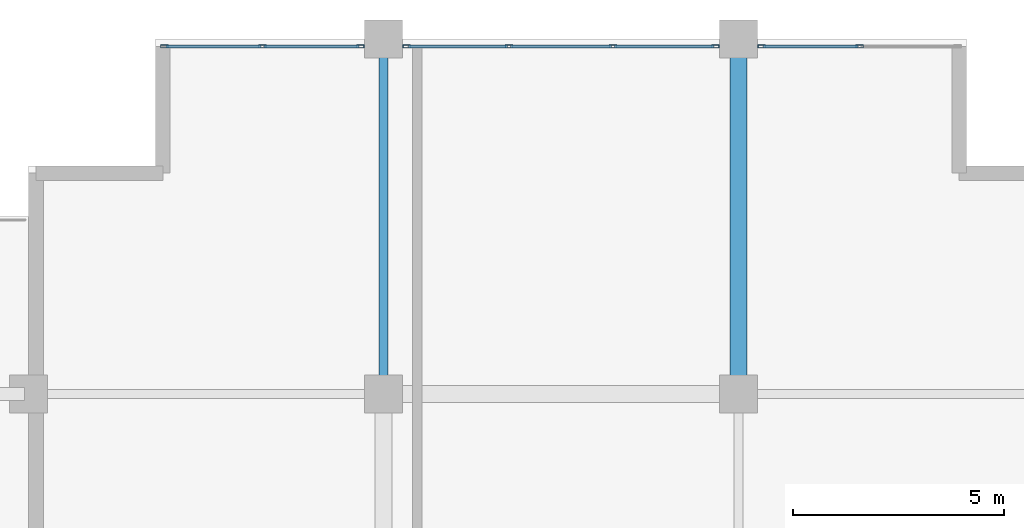
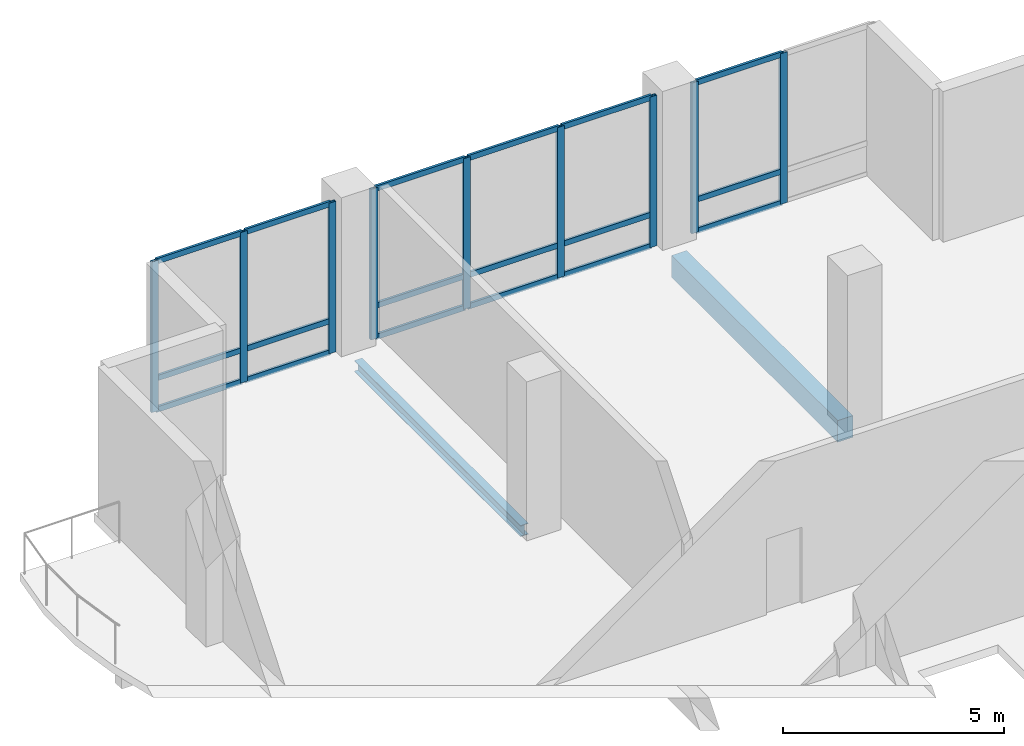
# One storey, part 3 of 16: 27 members, 2 beams, 3 elements without a shape of their own.
"""IFC4 building model written with IfcOpenShell, lengths in metres."""

import ifcopenshell
import ifcopenshell.guid

model = None  # the IFC model being written
_history = None  # IfcOwnerHistory: only IFC2X3 demands one
_inside = {}  # id of a spatial element -> (the spatial element, [elements in it])
_under = {}  # id of a project, library or spatial element -> (it, [spatial elements below it])
_declared = {}  # id of a project -> (the project, [libraries it declares])
_typed = {}  # id of a type object -> (the type object, [elements of that type])
_made_of = {}  # id of a material, layer set ... -> (it, [elements and type objects made of it])


def new_model(schema):
    """Start an empty IFC model of exactly this schema.

    Asked for "IFC4X3", IfcOpenShell would pick the latest addendum, in which some entities
    have other attributes; the version numbers below select the first issue.
    IFC2X3 requires an IfcOwnerHistory on every rooted entity: one is made here for all.
    """
    global model, _history
    if schema == "IFC4X3":
        model = ifcopenshell.file(schema_version=(4, 3, 0, 0))
    else:
        model = ifcopenshell.file(schema=schema)
    _inside.clear()
    _under.clear()
    _declared.clear()
    _typed.clear()
    _made_of.clear()
    _history = None
    if model.schema == "IFC2X3":
        org = make("IfcOrganization", Name="unknown")
        user = make(
            "IfcPersonAndOrganization",
            ThePerson=make("IfcPerson", FamilyName="unknown"),
            TheOrganization=org,
        )
        app = make(
            "IfcApplication",
            ApplicationDeveloper=org,
            Version="unknown",
            ApplicationFullName="unknown",
            ApplicationIdentifier="unknown",
        )
        _history = make(
            "IfcOwnerHistory",
            OwningUser=user,
            OwningApplication=app,
            ChangeAction="ADDED",
            CreationDate=0,
        )
    return model


def make(cls, **values):
    """One entity of the class cls with the attributes given. An attribute that is None is left unset."""
    return model.create_entity(
        cls, **{name: value for name, value in values.items() if value is not None}
    )


def rooted(cls, **values):
    """An entity with a GlobalId (a new one), such as an element, a storey or a relation."""
    return make(cls, GlobalId=ifcopenshell.guid.new(), OwnerHistory=_history, **values)


def si_unit(unit_type, name, prefix=None):
    """IfcSIUnit, for example si_unit("LENGTHUNIT", "METRE", prefix="MILLI")."""
    return make("IfcSIUnit", UnitType=unit_type, Prefix=prefix, Name=name)


def assignment(units):
    """IfcUnitAssignment: the units of a project."""
    return None if units is None else make("IfcUnitAssignment", Units=units)


def point(xyz):
    """IfcCartesianPoint."""
    return None if xyz is None else make("IfcCartesianPoint", Coordinates=xyz)


def direction(xyz):
    """IfcDirection."""
    return None if xyz is None else make("IfcDirection", DirectionRatios=xyz)


def frame(location, z_axis=None, x_axis=None):
    """IfcAxis2Placement3D, a coordinate frame: its origin and axes. An axis left out is left unset."""
    return make(
        "IfcAxis2Placement3D",
        Location=point(location),
        Axis=direction(z_axis),
        RefDirection=direction(x_axis),
    )


def frame_2d(location, x_axis=None):
    """IfcAxis2Placement2D, a coordinate frame in the plane: its origin and x axis."""
    return make(
        "IfcAxis2Placement2D", Location=point(location), RefDirection=direction(x_axis)
    )


def origin():
    """The frame at (0, 0, 0) with its axes left unset."""
    return frame((0.0, 0.0, 0.0))


def origin_2d():
    """The frame at (0, 0) in the plane with its x axis left unset."""
    return frame_2d((0.0, 0.0))


def place(relative_to, where):
    """IfcLocalPlacement: puts the frame where relative to a parent placement (None: the world)."""
    return make(
        "IfcLocalPlacement", PlacementRelTo=relative_to, RelativePlacement=where
    )


def context(
    kind, dimensions, precision=None, world=None, true_north=None, identifier=None
):
    """IfcGeometricRepresentationContext, for example the 3D "Model" context."""
    return make(
        "IfcGeometricRepresentationContext",
        ContextIdentifier=identifier,
        ContextType=kind,
        CoordinateSpaceDimension=dimensions,
        Precision=precision,
        WorldCoordinateSystem=world,
        TrueNorth=true_north,
    )


def subcontext(parent, identifier, kind, view, scale=None):
    """IfcGeometricRepresentationSubContext, for example "Body" below "Model"."""
    return make(
        "IfcGeometricRepresentationSubContext",
        ContextIdentifier=identifier,
        ContextType=kind,
        ParentContext=parent,
        TargetScale=scale,
        TargetView=view,
    )


def project(units=None, contexts=None):
    """IfcProject with its units and contexts."""
    return rooted(
        "IfcProject",
        Name="project",
        RepresentationContexts=contexts,
        UnitsInContext=assignment(units),
    )


def spatial(cls, under=None, at=None, **own):
    """A site, building, storey or space (cls), placed at a placement, below another one or the project."""
    s = rooted(cls, ObjectPlacement=at, **own)
    if under is not None:
        _under.setdefault(under.id(), (under, []))[1].append(s)
    return s


def profile(cls, at=None, kind="AREA", **sizes):
    """A parametric profile (cls). Its sizes go by their IFC names, for example OverallWidth=200.0."""
    return make(cls, ProfileType=kind, Position=at, **sizes)


def rectangle(**sizes):
    """IfcRectangleProfileDef."""
    return profile("IfcRectangleProfileDef", **sizes)


def hollow_rectangle(**sizes):
    """IfcRectangleHollowProfileDef."""
    return profile("IfcRectangleHollowProfileDef", **sizes)


def i_section(**sizes):
    """IfcIShapeProfileDef."""
    return profile("IfcIShapeProfileDef", **sizes)


def extrude(swept, where, along, depth):
    """IfcExtrudedAreaSolid: the profile swept, set in the frame where, extruded along a direction by depth."""
    return make(
        "IfcExtrudedAreaSolid",
        SweptArea=swept,
        Position=where,
        ExtrudedDirection=direction(along),
        Depth=depth,
    )


def shape(context_of_items, identifier, shape_type, items):
    """IfcShapeRepresentation: the items that make up one representation, for example the "Body"."""
    return make(
        "IfcShapeRepresentation",
        ContextOfItems=context_of_items,
        RepresentationIdentifier=identifier,
        RepresentationType=shape_type,
        Items=items,
    )


def material(Name=None, Category=None):
    """IfcMaterial."""
    return make("IfcMaterial", Name=Name, Category=Category)


def layer(
    of_material, thickness, ventilated=None, Name=None, Category=None, Priority=None
):
    """IfcMaterialLayer: one layer of a wall or slab, of a material (None: an air gap)."""
    return make(
        "IfcMaterialLayer",
        Material=of_material,
        LayerThickness=thickness,
        IsVentilated=ventilated,
        Name=Name,
        Category=Category,
        Priority=Priority,
    )


def layer_set(layers, Name=None):
    """IfcMaterialLayerSet."""
    return make("IfcMaterialLayerSet", MaterialLayers=layers, LayerSetName=Name)


def material_profile(
    of_material, cross_section, Name=None, Category=None, Priority=None
):
    """IfcMaterialProfile: a cross section and its material."""
    return make(
        "IfcMaterialProfile",
        Name=Name,
        Material=of_material,
        Profile=cross_section,
        Priority=Priority,
        Category=Category,
    )


def profile_set(profiles, Name=None, composite=None):
    """IfcMaterialProfileSet."""
    return make(
        "IfcMaterialProfileSet",
        Name=Name,
        MaterialProfiles=profiles,
        CompositeProfile=composite,
    )


def made_of(thing, what):
    """Note that an element or type object is made of a material, layer set ...; save() writes the relation."""
    if what is not None:
        _made_of.setdefault(what.id(), (what, []))[1].append(thing)
    return thing


def type_object(cls, material=None, **own):
    """A type object (cls), such as IfcWallType, which elements share."""
    return made_of(rooted(cls, **own), material)


def element(
    cls,
    number,
    at=None,
    inside=None,
    cuts=None,
    type_object=None,
    material=None,
    context=None,
    identifier="Body",
    shape_type=None,
    held_by="IfcProductDefinitionShape",
    body=None,
    shapes=None,
    **own,
):
    """One element of the class cls, such as IfcWall. Its Tag is "e" and its number.

    at: its placement. inside: the storey or other place that contains it. cuts: it is an
    opening in that element (IfcRelVoidsElement). A single representation is given by context,
    identifier, shape_type and body (its items); several are given by shapes. held_by: the class
    of the entity that holds the representations. save() writes the other relations.
    """
    e = rooted(cls, Tag="e%d" % number, ObjectPlacement=at, **own)
    if body is not None:
        shapes = [shape(context, identifier, shape_type, body)]
    if shapes is not None:
        e.Representation = make(held_by, Representations=shapes)
    if inside is not None:
        _inside.setdefault(inside.id(), (inside, []))[1].append(e)
    if cuts is not None:
        rooted(
            "IfcRelVoidsElement", RelatingBuildingElement=cuts, RelatedOpeningElement=e
        )
    if type_object is not None:
        _typed.setdefault(type_object.id(), (type_object, []))[1].append(e)
    return made_of(e, material)


def aggregate(whole, parts):
    """IfcRelAggregates: a whole, such as a stair, and the parts it consists of."""
    return rooted("IfcRelAggregates", RelatingObject=whole, RelatedObjects=parts)


def save(model, path):
    """Write the relations noted so far, then the file.

    IfcRelAggregates (storeys below a building ...), IfcRelContainedInSpatialStructure (elements
    in a storey), IfcRelDefinesByType, IfcRelAssociatesMaterial and IfcRelDeclares: one each for
    every whole, place, type object, material and project.
    """
    for whole, parts in _under.values():
        aggregate(whole, parts)
    for where, things in _inside.values():
        rooted(
            "IfcRelContainedInSpatialStructure",
            RelatedElements=things,
            RelatingStructure=where,
        )
    for kind, things in _typed.values():
        rooted("IfcRelDefinesByType", RelatedObjects=things, RelatingType=kind)
    for what, things in _made_of.values():
        rooted("IfcRelAssociatesMaterial", RelatedObjects=things, RelatingMaterial=what)
    for by, libraries in _declared.values():
        rooted("IfcRelDeclares", RelatingContext=by, RelatedDefinitions=libraries)
    model.write(path)


model = new_model("IFC4")

# Units and contexts
model_context = context("Model", 3, precision=1e-05, world=origin(), true_north=direction((0.0, 1.0)))
body_context = subcontext(model_context, "Body", "Model", "MODEL_VIEW")
ifc_project = project(units=[si_unit("LENGTHUNIT", "METRE"), si_unit("AREAUNIT", "SQUARE_METRE"), si_unit("VOLUMEUNIT", "CUBIC_METRE"), si_unit("PLANEANGLEUNIT", "RADIAN"), si_unit("MASSUNIT", "GRAM", prefix="KILO")], contexts=[model_context])

# Site, building, storey
site_placement = place(None, origin())
site = spatial("IfcSite", under=ifc_project, at=site_placement, CompositionType="ELEMENT")
building_placement = place(site_placement, origin())
building = spatial("IfcBuilding", under=site, at=building_placement, Name="Koriwani Terraces Tower", CompositionType="ELEMENT")
storey_placement = place(building_placement, frame((0.0, 0.0, 286.0)))
storey = spatial("IfcBuildingStorey", under=building, at=storey_placement, Name="L71", CompositionType="ELEMENT", Elevation=286.0)

# Beam
ifc_material_1 = material(Name="Concrete C40/50", Category="concrete")
ifc_material_profile_1 = material_profile(ifc_material_1, rectangle(XDim=0.39990234375, YDim=0.60009765625, at=origin_2d()), Name="Concrete C40/50", Category="LoadBearing")
ifc_profile_set_1 = profile_set([ifc_material_profile_1], Name="Concrete C40/50")
beam_type_1 = type_object("IfcBeamType", Name="BEAM_RC_GRID_400X600", PredefinedType="BEAM", material=ifc_profile_set_1)
beam_1_placement = place(storey_placement, frame((25.199951171875, 67.6298828125, -0.530029296875), z_axis=(0.0, 1.0, 0.0), x_axis=(-1.0, 0.0, 0.0)))
element("IfcBeam", 1, at=beam_1_placement, inside=storey, type_object=beam_type_1, Name="L71 Grid Beam 4 (67.2-75.6m)", PredefinedType="BEAM", context=body_context, shape_type="SweptSolid", body=[
    extrude(rectangle(XDim=0.39990234375, YDim=0.60009765625, at=origin_2d()), origin(), (0.0, 0.0, 1.0), 7.5400390625),
])

# Curtain wall, members
ifc_material_2 = material(Name="Anodised Bronze Aluminium", Category="aluminium")
ifc_layer = layer(ifc_material_2, 0.18994140625, Name="Anodised Bronze Aluminium")
ifc_layer_set = layer_set([ifc_layer], Name="Anodised Bronze Aluminium")
curtain_wall_type = type_object("IfcCurtainWallType", Name="CW_PENTHOUSE_ZONE5", PredefinedType="NOTDEFINED", material=ifc_layer_set)
curtain_wall_1_placement = place(storey_placement, origin())
curtain_wall_1 = element("IfcCurtainWall", 2, at=curtain_wall_1_placement, inside=storey, type_object=curtain_wall_type, Name="L71 Unitised Curtain Wall (N_TIP) Bay 1", PredefinedType="NOTDEFINED")
ifc_material_profile_2 = material_profile(ifc_material_2, hollow_rectangle(XDim=0.074951171875, YDim=0.179931640625, WallThickness=0.006103515625, at=origin_2d()), Name="Anodised Bronze Aluminium", Category="LoadBearing")
ifc_profile_set_2 = profile_set([ifc_material_profile_2], Name="Anodised Bronze Aluminium")
member_type_1 = type_object("IfcMemberType", Name="CW_MULLION_180X75", PredefinedType="MULLION", material=ifc_profile_set_2)
member_1_placement = place(storey_placement, frame((11.612548828125, 75.425048828125, 0.0), z_axis=(0.0, 0.0, 1.0), x_axis=(0.0, 1.0, 0.0)))
member_1 = element("IfcMember", 3, at=member_1_placement, type_object=member_type_1, Name="CW-Z5 mullion 1", PredefinedType="MULLION", context=body_context, shape_type="SweptSolid", body=[
    extrude(hollow_rectangle(XDim=0.074951171875, YDim=0.179931640625, WallThickness=0.006103515625, at=origin_2d()), origin(), (0.0, 0.0, 1.0), 4.169921875),
])
member_2_placement = place(storey_placement, frame((13.9326171875, 75.425048828125, 0.0), z_axis=(0.0, 0.0, 1.0), x_axis=(0.0, 1.0, 0.0)))
member_2 = element("IfcMember", 4, at=member_2_placement, type_object=member_type_1, Name="CW-Z5 mullion 2", PredefinedType="MULLION", context=body_context, shape_type="SweptSolid", body=[
    extrude(hollow_rectangle(XDim=0.074951171875, YDim=0.179931640625, WallThickness=0.006103515625, at=origin_2d()), origin(), (0.0, 0.0, 1.0), 4.169921875),
])
member_3_placement = place(storey_placement, frame((16.25244140625, 75.425048828125, 0.0), z_axis=(0.0, 0.0, 1.0), x_axis=(0.0, 1.0, 0.0)))
member_3 = element("IfcMember", 5, at=member_3_placement, type_object=member_type_1, Name="CW-Z5 mullion 3", PredefinedType="MULLION", context=body_context, shape_type="SweptSolid", body=[
    extrude(hollow_rectangle(XDim=0.074951171875, YDim=0.179931640625, WallThickness=0.006103515625, at=origin_2d()), origin(), (0.0, 0.0, 1.0), 4.169921875),
])

curtain_wall_2_placement = place(storey_placement, origin())
curtain_wall_2 = element("IfcCurtainWall", 6, at=curtain_wall_2_placement, inside=storey, type_object=curtain_wall_type, Name="L71 Unitised Curtain Wall (N_TIP) Bay 2", PredefinedType="NOTDEFINED")
member_4_placement = place(storey_placement, frame((17.347412109375, 75.425048828125, 0.0), z_axis=(0.0, 0.0, 1.0), x_axis=(0.0, 1.0, 0.0)))
member_4 = element("IfcMember", 7, at=member_4_placement, type_object=member_type_1, Name="CW-Z5 mullion 1", PredefinedType="MULLION", context=body_context, shape_type="SweptSolid", body=[
    extrude(hollow_rectangle(XDim=0.074951171875, YDim=0.179931640625, WallThickness=0.006103515625, at=origin_2d()), origin(), (0.0, 0.0, 1.0), 4.169921875),
])
member_5_placement = place(storey_placement, frame((19.77001953125, 75.425048828125, 0.0), z_axis=(0.0, 0.0, 1.0), x_axis=(0.0, 1.0, 0.0)))
member_5 = element("IfcMember", 8, at=member_5_placement, type_object=member_type_1, Name="CW-Z5 mullion 2", PredefinedType="MULLION", context=body_context, shape_type="SweptSolid", body=[
    extrude(hollow_rectangle(XDim=0.074951171875, YDim=0.179931640625, WallThickness=0.006103515625, at=origin_2d()), origin(), (0.0, 0.0, 1.0), 4.169921875),
])
member_6_placement = place(storey_placement, frame((22.22998046875, 75.425048828125, 0.0), z_axis=(0.0, 0.0, 1.0), x_axis=(0.0, 1.0, 0.0)))
member_6 = element("IfcMember", 9, at=member_6_placement, type_object=member_type_1, Name="CW-Z5 mullion 3", PredefinedType="MULLION", context=body_context, shape_type="SweptSolid", body=[
    extrude(hollow_rectangle(XDim=0.074951171875, YDim=0.179931640625, WallThickness=0.006103515625, at=origin_2d()), origin(), (0.0, 0.0, 1.0), 4.169921875),
])
member_7_placement = place(storey_placement, frame((24.652587890625, 75.425048828125, 0.0), z_axis=(0.0, 0.0, 1.0), x_axis=(0.0, 1.0, 0.0)))
member_7 = element("IfcMember", 10, at=member_7_placement, type_object=member_type_1, Name="CW-Z5 mullion 4", PredefinedType="MULLION", context=body_context, shape_type="SweptSolid", body=[
    extrude(hollow_rectangle(XDim=0.074951171875, YDim=0.179931640625, WallThickness=0.006103515625, at=origin_2d()), origin(), (0.0, 0.0, 1.0), 4.169921875),
])

curtain_wall_3_placement = place(storey_placement, origin())
curtain_wall_3 = element("IfcCurtainWall", 11, at=curtain_wall_3_placement, inside=storey, type_object=curtain_wall_type, Name="L71 Unitised Curtain Wall (N_TIP) Bay 3", PredefinedType="NOTDEFINED")
member_8_placement = place(storey_placement, frame((25.74755859375, 75.425048828125, 0.0), z_axis=(0.0, 0.0, 1.0), x_axis=(0.0, 1.0, 0.0)))
member_8 = element("IfcMember", 12, at=member_8_placement, type_object=member_type_1, Name="CW-Z5 mullion 1", PredefinedType="MULLION", context=body_context, shape_type="SweptSolid", body=[
    extrude(hollow_rectangle(XDim=0.074951171875, YDim=0.179931640625, WallThickness=0.006103515625, at=origin_2d()), origin(), (0.0, 0.0, 1.0), 4.169921875),
])
member_9_placement = place(storey_placement, frame((28.0673828125, 75.425048828125, 0.0), z_axis=(0.0, 0.0, 1.0), x_axis=(0.0, 1.0, 0.0)))
member_9 = element("IfcMember", 13, at=member_9_placement, type_object=member_type_1, Name="CW-Z5 mullion 2", PredefinedType="MULLION", context=body_context, shape_type="SweptSolid", body=[
    extrude(hollow_rectangle(XDim=0.074951171875, YDim=0.179931640625, WallThickness=0.006103515625, at=origin_2d()), origin(), (0.0, 0.0, 1.0), 4.169921875),
])

# Member
ifc_material_profile_3 = material_profile(ifc_material_2, hollow_rectangle(XDim=0.06494140625, YDim=0.14990234375, WallThickness=0.0048828125, at=origin_2d()), Name="Anodised Bronze Aluminium", Category="LoadBearing")
ifc_profile_set_3 = profile_set([ifc_material_profile_3], Name="Anodised Bronze Aluminium")
member_type_2 = type_object("IfcMemberType", Name="CW_TRANSOM_150X65", PredefinedType="USERDEFINED", material=ifc_profile_set_3)
member_10_placement = place(storey_placement, frame((11.64990234375, 75.425048828125, 0.032470703125), z_axis=(1.0, 0.0, 0.0), x_axis=(0.0, 1.0, 0.0)))
member_10 = element("IfcMember", 14, at=member_10_placement, type_object=member_type_2, Name="CW-Z5 transom 1.1", ObjectType="TRANSOM", PredefinedType="USERDEFINED", context=body_context, shape_type="SweptSolid", body=[
    extrude(hollow_rectangle(XDim=0.06494140625, YDim=0.14990234375, WallThickness=0.0048828125, at=origin_2d()), origin(), (0.0, 0.0, 1.0), 2.2451171875),
])

member_11_placement = place(storey_placement, frame((11.64990234375, 75.425048828125, 0.89990234375), z_axis=(1.0, 0.0, 0.0), x_axis=(0.0, 1.0, 0.0)))
member_11 = element("IfcMember", 15, at=member_11_placement, type_object=member_type_2, Name="CW-Z5 transom 1.2", ObjectType="TRANSOM", PredefinedType="USERDEFINED", context=body_context, shape_type="SweptSolid", body=[
    extrude(hollow_rectangle(XDim=0.06494140625, YDim=0.14990234375, WallThickness=0.0048828125, at=origin_2d()), origin(), (0.0, 0.0, 1.0), 2.2451171875),
])

member_12_placement = place(storey_placement, frame((11.64990234375, 75.425048828125, 4.137451171875), z_axis=(1.0, 0.0, 0.0), x_axis=(0.0, 1.0, 0.0)))
member_12 = element("IfcMember", 16, at=member_12_placement, type_object=member_type_2, Name="CW-Z5 transom 1.3", ObjectType="TRANSOM", PredefinedType="USERDEFINED", context=body_context, shape_type="SweptSolid", body=[
    extrude(hollow_rectangle(XDim=0.06494140625, YDim=0.14990234375, WallThickness=0.0048828125, at=origin_2d()), origin(), (0.0, 0.0, 1.0), 2.2451171875),
])

member_13_placement = place(storey_placement, frame((13.969970703125, 75.425048828125, 0.032470703125), z_axis=(1.0, 0.0, 0.0), x_axis=(0.0, 1.0, 0.0)))
member_13 = element("IfcMember", 17, at=member_13_placement, type_object=member_type_2, Name="CW-Z5 transom 2.1", ObjectType="TRANSOM", PredefinedType="USERDEFINED", context=body_context, shape_type="SweptSolid", body=[
    extrude(hollow_rectangle(XDim=0.06494140625, YDim=0.14990234375, WallThickness=0.0048828125, at=origin_2d()), origin(), (0.0, 0.0, 1.0), 2.2451171875),
])

member_14_placement = place(storey_placement, frame((13.969970703125, 75.425048828125, 0.89990234375), z_axis=(1.0, 0.0, 0.0), x_axis=(0.0, 1.0, 0.0)))
member_14 = element("IfcMember", 18, at=member_14_placement, type_object=member_type_2, Name="CW-Z5 transom 2.2", ObjectType="TRANSOM", PredefinedType="USERDEFINED", context=body_context, shape_type="SweptSolid", body=[
    extrude(hollow_rectangle(XDim=0.06494140625, YDim=0.14990234375, WallThickness=0.0048828125, at=origin_2d()), origin(), (0.0, 0.0, 1.0), 2.2451171875),
])

member_15_placement = place(storey_placement, frame((13.969970703125, 75.425048828125, 4.137451171875), z_axis=(1.0, 0.0, 0.0), x_axis=(0.0, 1.0, 0.0)))
member_15 = element("IfcMember", 19, at=member_15_placement, type_object=member_type_2, Name="CW-Z5 transom 2.3", ObjectType="TRANSOM", PredefinedType="USERDEFINED", context=body_context, shape_type="SweptSolid", body=[
    extrude(hollow_rectangle(XDim=0.06494140625, YDim=0.14990234375, WallThickness=0.0048828125, at=origin_2d()), origin(), (0.0, 0.0, 1.0), 2.2451171875),
])

aggregate(curtain_wall_1, [member_1, member_2, member_3, member_10, member_11, member_12, member_13, member_14, member_15])

member_16_placement = place(storey_placement, frame((17.385009765625, 75.425048828125, 0.032470703125), z_axis=(1.0, 0.0, 0.0), x_axis=(0.0, 1.0, 0.0)))
member_16 = element("IfcMember", 20, at=member_16_placement, type_object=member_type_2, Name="CW-Z5 transom 1.1", ObjectType="TRANSOM", PredefinedType="USERDEFINED", context=body_context, shape_type="SweptSolid", body=[
    extrude(hollow_rectangle(XDim=0.06494140625, YDim=0.14990234375, WallThickness=0.0048828125, at=origin_2d()), origin(), (0.0, 0.0, 1.0), 2.347412109375),
])

member_17_placement = place(storey_placement, frame((17.385009765625, 75.425048828125, 0.89990234375), z_axis=(1.0, 0.0, 0.0), x_axis=(0.0, 1.0, 0.0)))
member_17 = element("IfcMember", 21, at=member_17_placement, type_object=member_type_2, Name="CW-Z5 transom 1.2", ObjectType="TRANSOM", PredefinedType="USERDEFINED", context=body_context, shape_type="SweptSolid", body=[
    extrude(hollow_rectangle(XDim=0.06494140625, YDim=0.14990234375, WallThickness=0.0048828125, at=origin_2d()), origin(), (0.0, 0.0, 1.0), 2.347412109375),
])

member_18_placement = place(storey_placement, frame((17.385009765625, 75.425048828125, 4.137451171875), z_axis=(1.0, 0.0, 0.0), x_axis=(0.0, 1.0, 0.0)))
member_18 = element("IfcMember", 22, at=member_18_placement, type_object=member_type_2, Name="CW-Z5 transom 1.3", ObjectType="TRANSOM", PredefinedType="USERDEFINED", context=body_context, shape_type="SweptSolid", body=[
    extrude(hollow_rectangle(XDim=0.06494140625, YDim=0.14990234375, WallThickness=0.0048828125, at=origin_2d()), origin(), (0.0, 0.0, 1.0), 2.347412109375),
])

member_19_placement = place(storey_placement, frame((19.8076171875, 75.425048828125, 0.032470703125), z_axis=(1.0, 0.0, 0.0), x_axis=(0.0, 1.0, 0.0)))
member_19 = element("IfcMember", 23, at=member_19_placement, type_object=member_type_2, Name="CW-Z5 transom 2.1", ObjectType="TRANSOM", PredefinedType="USERDEFINED", context=body_context, shape_type="SweptSolid", body=[
    extrude(hollow_rectangle(XDim=0.06494140625, YDim=0.14990234375, WallThickness=0.0048828125, at=origin_2d()), origin(), (0.0, 0.0, 1.0), 2.384765625),
])

member_20_placement = place(storey_placement, frame((19.8076171875, 75.425048828125, 0.89990234375), z_axis=(1.0, 0.0, 0.0), x_axis=(0.0, 1.0, 0.0)))
member_20 = element("IfcMember", 24, at=member_20_placement, type_object=member_type_2, Name="CW-Z5 transom 2.2", ObjectType="TRANSOM", PredefinedType="USERDEFINED", context=body_context, shape_type="SweptSolid", body=[
    extrude(hollow_rectangle(XDim=0.06494140625, YDim=0.14990234375, WallThickness=0.0048828125, at=origin_2d()), origin(), (0.0, 0.0, 1.0), 2.384765625),
])

member_21_placement = place(storey_placement, frame((19.8076171875, 75.425048828125, 4.137451171875), z_axis=(1.0, 0.0, 0.0), x_axis=(0.0, 1.0, 0.0)))
member_21 = element("IfcMember", 25, at=member_21_placement, type_object=member_type_2, Name="CW-Z5 transom 2.3", ObjectType="TRANSOM", PredefinedType="USERDEFINED", context=body_context, shape_type="SweptSolid", body=[
    extrude(hollow_rectangle(XDim=0.06494140625, YDim=0.14990234375, WallThickness=0.0048828125, at=origin_2d()), origin(), (0.0, 0.0, 1.0), 2.384765625),
])

member_22_placement = place(storey_placement, frame((22.267578125, 75.425048828125, 0.032470703125), z_axis=(1.0, 0.0, 0.0), x_axis=(0.0, 1.0, 0.0)))
member_22 = element("IfcMember", 26, at=member_22_placement, type_object=member_type_2, Name="CW-Z5 transom 3.1", ObjectType="TRANSOM", PredefinedType="USERDEFINED", context=body_context, shape_type="SweptSolid", body=[
    extrude(hollow_rectangle(XDim=0.06494140625, YDim=0.14990234375, WallThickness=0.0048828125, at=origin_2d()), origin(), (0.0, 0.0, 1.0), 2.347412109375),
])

member_23_placement = place(storey_placement, frame((22.267578125, 75.425048828125, 0.89990234375), z_axis=(1.0, 0.0, 0.0), x_axis=(0.0, 1.0, 0.0)))
member_23 = element("IfcMember", 27, at=member_23_placement, type_object=member_type_2, Name="CW-Z5 transom 3.2", ObjectType="TRANSOM", PredefinedType="USERDEFINED", context=body_context, shape_type="SweptSolid", body=[
    extrude(hollow_rectangle(XDim=0.06494140625, YDim=0.14990234375, WallThickness=0.0048828125, at=origin_2d()), origin(), (0.0, 0.0, 1.0), 2.347412109375),
])

member_24_placement = place(storey_placement, frame((22.267578125, 75.425048828125, 4.137451171875), z_axis=(1.0, 0.0, 0.0), x_axis=(0.0, 1.0, 0.0)))
member_24 = element("IfcMember", 28, at=member_24_placement, type_object=member_type_2, Name="CW-Z5 transom 3.3", ObjectType="TRANSOM", PredefinedType="USERDEFINED", context=body_context, shape_type="SweptSolid", body=[
    extrude(hollow_rectangle(XDim=0.06494140625, YDim=0.14990234375, WallThickness=0.0048828125, at=origin_2d()), origin(), (0.0, 0.0, 1.0), 2.347412109375),
])

aggregate(curtain_wall_2, [member_4, member_5, member_6, member_7, member_16, member_17, member_18, member_19, member_20, member_21, member_22, member_23, member_24])

member_25_placement = place(storey_placement, frame((25.784912109375, 75.425048828125, 0.032470703125), z_axis=(1.0, 0.0, 0.0), x_axis=(0.0, 1.0, 0.0)))
member_25 = element("IfcMember", 29, at=member_25_placement, type_object=member_type_2, Name="CW-Z5 transom 1.1", ObjectType="TRANSOM", PredefinedType="USERDEFINED", context=body_context, shape_type="SweptSolid", body=[
    extrude(hollow_rectangle(XDim=0.06494140625, YDim=0.14990234375, WallThickness=0.0048828125, at=origin_2d()), origin(), (0.0, 0.0, 1.0), 2.2451171875),
])

member_26_placement = place(storey_placement, frame((25.784912109375, 75.425048828125, 0.89990234375), z_axis=(1.0, 0.0, 0.0), x_axis=(0.0, 1.0, 0.0)))
member_26 = element("IfcMember", 30, at=member_26_placement, type_object=member_type_2, Name="CW-Z5 transom 1.2", ObjectType="TRANSOM", PredefinedType="USERDEFINED", context=body_context, shape_type="SweptSolid", body=[
    extrude(hollow_rectangle(XDim=0.06494140625, YDim=0.14990234375, WallThickness=0.0048828125, at=origin_2d()), origin(), (0.0, 0.0, 1.0), 2.2451171875),
])

member_27_placement = place(storey_placement, frame((25.784912109375, 75.425048828125, 4.137451171875), z_axis=(1.0, 0.0, 0.0), x_axis=(0.0, 1.0, 0.0)))
member_27 = element("IfcMember", 31, at=member_27_placement, type_object=member_type_2, Name="CW-Z5 transom 1.3", ObjectType="TRANSOM", PredefinedType="USERDEFINED", context=body_context, shape_type="SweptSolid", body=[
    extrude(hollow_rectangle(XDim=0.06494140625, YDim=0.14990234375, WallThickness=0.0048828125, at=origin_2d()), origin(), (0.0, 0.0, 1.0), 2.2451171875),
])

aggregate(curtain_wall_3, [member_8, member_9, member_25, member_26, member_27])

# Beam
ifc_material_3 = material(Name="Steel ASTM A572 Grade 50", Category="steel")
ifc_material_profile_4 = material_profile(ifc_material_3, i_section(OverallWidth=0.205078125, OverallDepth=0.31005859375, WebThickness=0.009521484375, FlangeThickness=0.016357421875, at=origin_2d()), Name="Steel ASTM A572 Grade 50", Category="LoadBearing")
ifc_profile_set_4 = profile_set([ifc_material_profile_4], Name="Steel ASTM A572 Grade 50")
beam_type_2 = type_object("IfcBeamType", Name="STEEL_BEAM_W310X74", PredefinedType="JOIST", material=ifc_profile_set_4)
beam_2_placement = place(storey_placement, frame((16.800048828125, 67.6298828125, -0.385009765625), z_axis=(0.0, 1.0, 0.0), x_axis=(-1.0, 0.0, 0.0)))
element("IfcBeam", 32, at=beam_2_placement, inside=storey, type_object=beam_type_2, Name="L71 Grid Beam 3 (67.2-75.6m)", PredefinedType="JOIST", context=body_context, shape_type="SweptSolid", body=[
    extrude(i_section(OverallWidth=0.205078125, OverallDepth=0.31005859375, WebThickness=0.009521484375, FlangeThickness=0.016357421875, at=origin_2d()), origin(), (0.0, 0.0, 1.0), 7.5400390625),
])

save(model, "model.ifc")
